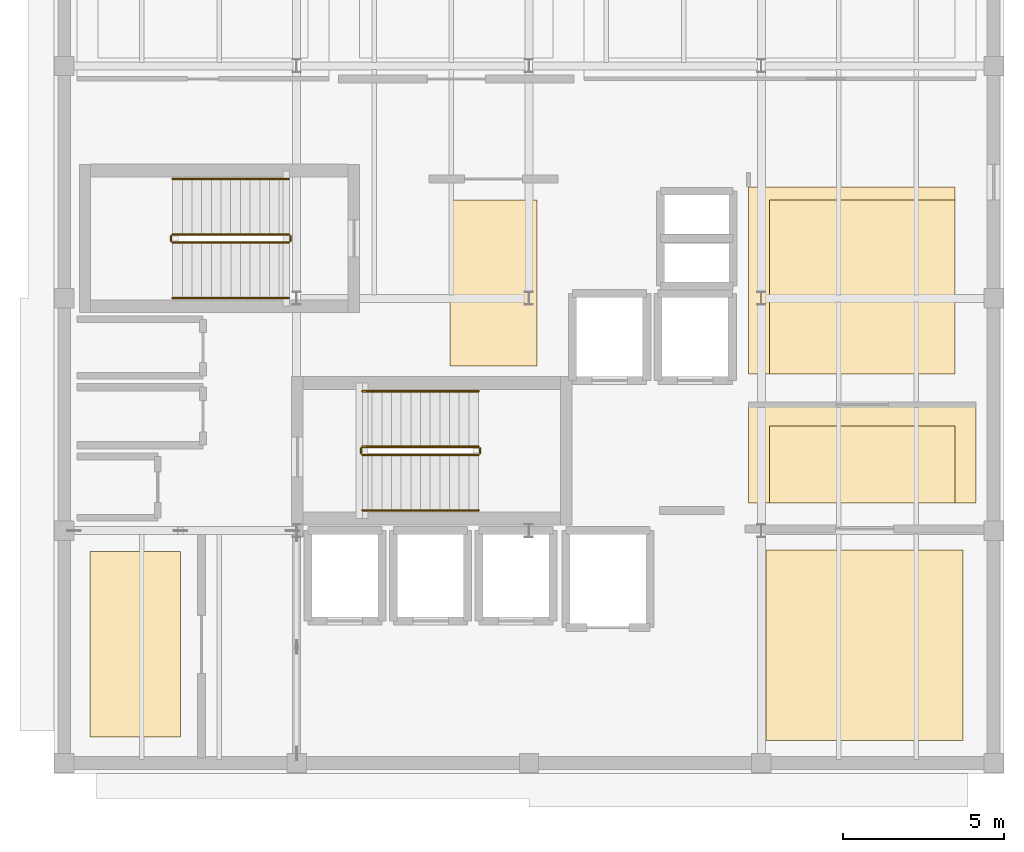
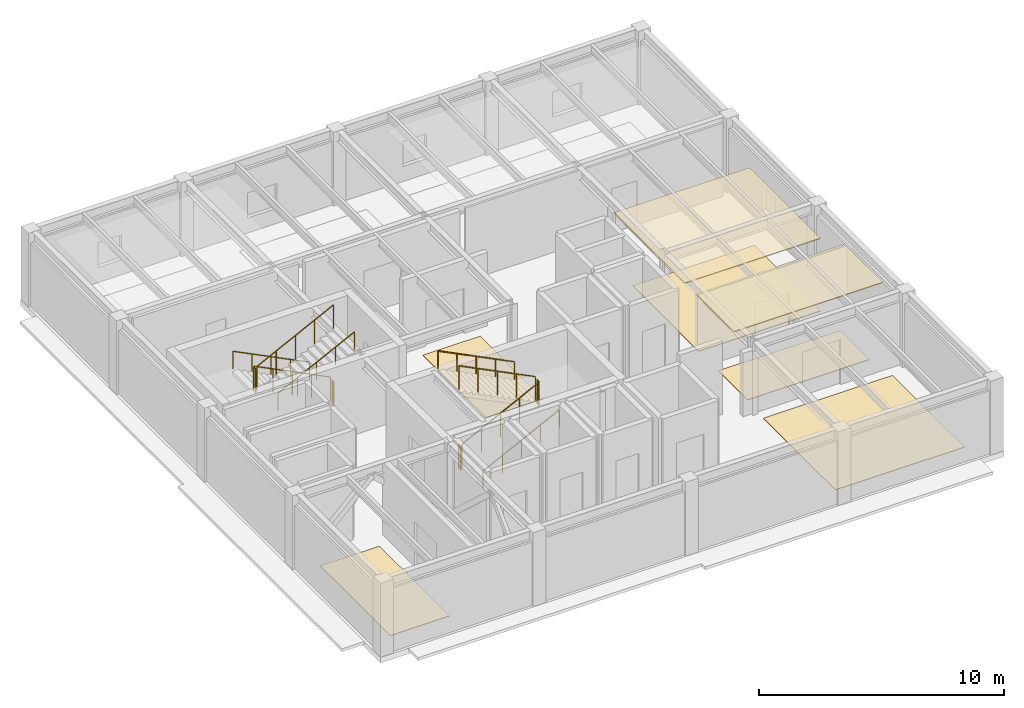
# One storey, part 7 of 8: 12 railings, 7 coverings.
"""IFC4 building model written with IfcOpenShell, lengths in metres."""

import ifcopenshell
import ifcopenshell.guid

model = None  # the IFC model being written
_history = None  # IfcOwnerHistory: only IFC2X3 demands one
_inside = {}  # id of a spatial element -> (the spatial element, [elements in it])
_under = {}  # id of a project, library or spatial element -> (it, [spatial elements below it])
_declared = {}  # id of a project -> (the project, [libraries it declares])
_typed = {}  # id of a type object -> (the type object, [elements of that type])
_made_of = {}  # id of a material, layer set ... -> (it, [elements and type objects made of it])


def new_model(schema):
    """Start an empty IFC model of exactly this schema.

    Asked for "IFC4X3", IfcOpenShell would pick the latest addendum, in which some entities
    have other attributes; the version numbers below select the first issue.
    IFC2X3 requires an IfcOwnerHistory on every rooted entity: one is made here for all.
    """
    global model, _history
    if schema == "IFC4X3":
        model = ifcopenshell.file(schema_version=(4, 3, 0, 0))
    else:
        model = ifcopenshell.file(schema=schema)
    _inside.clear()
    _under.clear()
    _declared.clear()
    _typed.clear()
    _made_of.clear()
    _history = None
    if model.schema == "IFC2X3":
        org = make("IfcOrganization", Name="unknown")
        user = make(
            "IfcPersonAndOrganization",
            ThePerson=make("IfcPerson", FamilyName="unknown"),
            TheOrganization=org,
        )
        app = make(
            "IfcApplication",
            ApplicationDeveloper=org,
            Version="unknown",
            ApplicationFullName="unknown",
            ApplicationIdentifier="unknown",
        )
        _history = make(
            "IfcOwnerHistory",
            OwningUser=user,
            OwningApplication=app,
            ChangeAction="ADDED",
            CreationDate=0,
        )
    return model


def make(cls, **values):
    """One entity of the class cls with the attributes given. An attribute that is None is left unset."""
    return model.create_entity(
        cls, **{name: value for name, value in values.items() if value is not None}
    )


def rooted(cls, **values):
    """An entity with a GlobalId (a new one), such as an element, a storey or a relation."""
    return make(cls, GlobalId=ifcopenshell.guid.new(), OwnerHistory=_history, **values)


def si_unit(unit_type, name, prefix=None):
    """IfcSIUnit, for example si_unit("LENGTHUNIT", "METRE", prefix="MILLI")."""
    return make("IfcSIUnit", UnitType=unit_type, Prefix=prefix, Name=name)


def assignment(units):
    """IfcUnitAssignment: the units of a project."""
    return None if units is None else make("IfcUnitAssignment", Units=units)


def point(xyz):
    """IfcCartesianPoint."""
    return None if xyz is None else make("IfcCartesianPoint", Coordinates=xyz)


def direction(xyz):
    """IfcDirection."""
    return None if xyz is None else make("IfcDirection", DirectionRatios=xyz)


def frame(location, z_axis=None, x_axis=None):
    """IfcAxis2Placement3D, a coordinate frame: its origin and axes. An axis left out is left unset."""
    return make(
        "IfcAxis2Placement3D",
        Location=point(location),
        Axis=direction(z_axis),
        RefDirection=direction(x_axis),
    )


def frame_2d(location, x_axis=None):
    """IfcAxis2Placement2D, a coordinate frame in the plane: its origin and x axis."""
    return make(
        "IfcAxis2Placement2D", Location=point(location), RefDirection=direction(x_axis)
    )


def origin():
    """The frame at (0, 0, 0) with its axes left unset."""
    return frame((0.0, 0.0, 0.0))


def origin_2d():
    """The frame at (0, 0) in the plane with its x axis left unset."""
    return frame_2d((0.0, 0.0))


def place(relative_to, where):
    """IfcLocalPlacement: puts the frame where relative to a parent placement (None: the world)."""
    return make(
        "IfcLocalPlacement", PlacementRelTo=relative_to, RelativePlacement=where
    )


def context(
    kind, dimensions, precision=None, world=None, true_north=None, identifier=None
):
    """IfcGeometricRepresentationContext, for example the 3D "Model" context."""
    return make(
        "IfcGeometricRepresentationContext",
        ContextIdentifier=identifier,
        ContextType=kind,
        CoordinateSpaceDimension=dimensions,
        Precision=precision,
        WorldCoordinateSystem=world,
        TrueNorth=true_north,
    )


def subcontext(parent, identifier, kind, view, scale=None):
    """IfcGeometricRepresentationSubContext, for example "Body" below "Model"."""
    return make(
        "IfcGeometricRepresentationSubContext",
        ContextIdentifier=identifier,
        ContextType=kind,
        ParentContext=parent,
        TargetScale=scale,
        TargetView=view,
    )


def project(units=None, contexts=None):
    """IfcProject with its units and contexts."""
    return rooted(
        "IfcProject",
        Name="project",
        RepresentationContexts=contexts,
        UnitsInContext=assignment(units),
    )


def spatial(cls, under=None, at=None, **own):
    """A site, building, storey or space (cls), placed at a placement, below another one or the project."""
    s = rooted(cls, ObjectPlacement=at, **own)
    if under is not None:
        _under.setdefault(under.id(), (under, []))[1].append(s)
    return s


def polyline(points):
    """IfcPolyline through the points."""
    return make("IfcPolyline", Points=[point(p) for p in points])


def profile(cls, at=None, kind="AREA", **sizes):
    """A parametric profile (cls). Its sizes go by their IFC names, for example OverallWidth=200.0."""
    return make(cls, ProfileType=kind, Position=at, **sizes)


def circle(**sizes):
    """IfcCircleProfileDef."""
    return profile("IfcCircleProfileDef", **sizes)


def outline(outer, holes=None, kind="AREA"):
    """IfcArbitraryClosedProfileDef: a profile drawn as a closed curve; with holes, ...WithVoids."""
    if holes is None:
        return make("IfcArbitraryClosedProfileDef", ProfileType=kind, OuterCurve=outer)
    return make(
        "IfcArbitraryProfileDefWithVoids",
        ProfileType=kind,
        OuterCurve=outer,
        InnerCurves=holes,
    )


def extrude(swept, where, along, depth):
    """IfcExtrudedAreaSolid: the profile swept, set in the frame where, extruded along a direction by depth."""
    return make(
        "IfcExtrudedAreaSolid",
        SweptArea=swept,
        Position=where,
        ExtrudedDirection=direction(along),
        Depth=depth,
    )


def shape(context_of_items, identifier, shape_type, items):
    """IfcShapeRepresentation: the items that make up one representation, for example the "Body"."""
    return make(
        "IfcShapeRepresentation",
        ContextOfItems=context_of_items,
        RepresentationIdentifier=identifier,
        RepresentationType=shape_type,
        Items=items,
    )


def material(Name=None, Category=None):
    """IfcMaterial."""
    return make("IfcMaterial", Name=Name, Category=Category)


def layer(
    of_material, thickness, ventilated=None, Name=None, Category=None, Priority=None
):
    """IfcMaterialLayer: one layer of a wall or slab, of a material (None: an air gap)."""
    return make(
        "IfcMaterialLayer",
        Material=of_material,
        LayerThickness=thickness,
        IsVentilated=ventilated,
        Name=Name,
        Category=Category,
        Priority=Priority,
    )


def layer_set(layers, Name=None):
    """IfcMaterialLayerSet."""
    return make("IfcMaterialLayerSet", MaterialLayers=layers, LayerSetName=Name)


def made_of(thing, what):
    """Note that an element or type object is made of a material, layer set ...; save() writes the relation."""
    if what is not None:
        _made_of.setdefault(what.id(), (what, []))[1].append(thing)
    return thing


def type_object(cls, material=None, **own):
    """A type object (cls), such as IfcWallType, which elements share."""
    return made_of(rooted(cls, **own), material)


def element(
    cls,
    number,
    at=None,
    inside=None,
    cuts=None,
    type_object=None,
    material=None,
    context=None,
    identifier="Body",
    shape_type=None,
    held_by="IfcProductDefinitionShape",
    body=None,
    shapes=None,
    **own,
):
    """One element of the class cls, such as IfcWall. Its Tag is "e" and its number.

    at: its placement. inside: the storey or other place that contains it. cuts: it is an
    opening in that element (IfcRelVoidsElement). A single representation is given by context,
    identifier, shape_type and body (its items); several are given by shapes. held_by: the class
    of the entity that holds the representations. save() writes the other relations.
    """
    e = rooted(cls, Tag="e%d" % number, ObjectPlacement=at, **own)
    if body is not None:
        shapes = [shape(context, identifier, shape_type, body)]
    if shapes is not None:
        e.Representation = make(held_by, Representations=shapes)
    if inside is not None:
        _inside.setdefault(inside.id(), (inside, []))[1].append(e)
    if cuts is not None:
        rooted(
            "IfcRelVoidsElement", RelatingBuildingElement=cuts, RelatedOpeningElement=e
        )
    if type_object is not None:
        _typed.setdefault(type_object.id(), (type_object, []))[1].append(e)
    return made_of(e, material)


def aggregate(whole, parts):
    """IfcRelAggregates: a whole, such as a stair, and the parts it consists of."""
    return rooted("IfcRelAggregates", RelatingObject=whole, RelatedObjects=parts)


def save(model, path):
    """Write the relations noted so far, then the file.

    IfcRelAggregates (storeys below a building ...), IfcRelContainedInSpatialStructure (elements
    in a storey), IfcRelDefinesByType, IfcRelAssociatesMaterial and IfcRelDeclares: one each for
    every whole, place, type object, material and project.
    """
    for whole, parts in _under.values():
        aggregate(whole, parts)
    for where, things in _inside.values():
        rooted(
            "IfcRelContainedInSpatialStructure",
            RelatedElements=things,
            RelatingStructure=where,
        )
    for kind, things in _typed.values():
        rooted("IfcRelDefinesByType", RelatedObjects=things, RelatingType=kind)
    for what, things in _made_of.values():
        rooted("IfcRelAssociatesMaterial", RelatedObjects=things, RelatingMaterial=what)
    for by, libraries in _declared.values():
        rooted("IfcRelDeclares", RelatingContext=by, RelatedDefinitions=libraries)
    model.write(path)


model = new_model("IFC4")

# Units and contexts
model_context = context("Model", 3, precision=1e-05, world=origin(), true_north=direction((0.0, 1.0)))
body_context = subcontext(model_context, "Body", "Model", "MODEL_VIEW")
ifc_project = project(units=[si_unit("LENGTHUNIT", "METRE"), si_unit("AREAUNIT", "SQUARE_METRE"), si_unit("VOLUMEUNIT", "CUBIC_METRE"), si_unit("PLANEANGLEUNIT", "RADIAN"), si_unit("MASSUNIT", "GRAM", prefix="KILO")], contexts=[model_context])

# Site, building, storey
site_placement = place(None, origin())
site = spatial("IfcSite", under=ifc_project, at=site_placement, CompositionType="ELEMENT")
building_placement = place(site_placement, origin())
building = spatial("IfcBuilding", under=site, at=building_placement, Name="Kandorven Conservatory and Botanical Research Centre", CompositionType="ELEMENT")
storey_placement = place(building_placement, frame((0.0, 0.0, 40.5)))
storey = spatial("IfcBuildingStorey", under=building, at=storey_placement, Name="L10", CompositionType="ELEMENT", Elevation=40.5)

# Coverings
ifc_material_1 = material(Name="Perforated mineral-fibre acoustic ceiling tile", Category="gypsum")
ifc_layer_1 = layer(ifc_material_1, 0.0400390625)
ifc_layer_set_1 = layer_set([ifc_layer_1], Name="Perforated mineral-fibre acoustic ceiling tile")
covering_type_1 = type_object("IfcCoveringType", Name="Cov_Ceiling_1", PredefinedType="CEILING", material=ifc_layer_set_1)
covering_1_placement = place(storey_placement, frame((0.0, 0.0, 3.6201171875)))
element("IfcCovering", 1, at=covering_1_placement, inside=storey, type_object=covering_type_1, Name="Suspended acoustic ceiling CLG-01 (Flora Taxonomy Microscopy Laboratory L10)", PredefinedType="CEILING", context=body_context, shape_type="SweptSolid", body=[
    extrude(outline(polyline([(27.199951171875, 14.050048828125), (34.25, 14.050048828125), (34.25, 17.10009765625), (27.199951171875, 17.10009765625), (27.199951171875, 14.050048828125)])), origin(), (0.0, 0.0, 1.0), 0.039794921875),
])
covering_2_placement = place(storey_placement, frame((0.0, 0.0, 3.6201171875)))
element("IfcCovering", 2, at=covering_2_placement, inside=storey, type_object=covering_type_1, Name="Suspended acoustic ceiling CLG-01 (Herbarium Digitisation and Imaging Studio L10)", PredefinedType="CEILING", context=body_context, shape_type="SweptSolid", body=[
    extrude(outline(polyline([(27.199951171875, 18.050048828125), (33.60009765625, 18.050048828125), (33.60009765625, 23.85009765625), (27.199951171875, 23.85009765625), (27.199951171875, 18.050048828125)])), origin(), (0.0, 0.0, 1.0), 0.039794921875),
])
ifc_material_2 = material(Name="Honed Kota stone and epoxy laboratory flooring", Category="masonry")
ifc_layer_2 = layer(ifc_material_2, 0.02490234375)
ifc_layer_set_2 = layer_set([ifc_layer_2], Name="Honed Kota stone and epoxy laboratory flooring")
covering_type_2 = type_object("IfcCoveringType", Name="Cov_Flooring_1", PredefinedType="FLOORING", material=ifc_layer_set_2)
covering_3_placement = place(storey_placement, origin())
element("IfcCovering", 3, at=covering_3_placement, inside=storey, type_object=covering_type_2, Name="Floor finish FLR-01 (Herbarium Bryophyte Collection Vault L10)", PredefinedType="FLOORING", context=body_context, shape_type="SweptSolid", body=[
    extrude(outline(polyline([(17.949951171875, 18.300048828125), (20.64990234375, 18.300048828125), (20.64990234375, 23.449951171875), (17.949951171875, 23.449951171875), (17.949951171875, 18.300048828125)])), origin(), (0.0, 0.0, 1.0), 0.02490234375),
])
covering_4_placement = place(storey_placement, origin())
element("IfcCovering", 4, at=covering_4_placement, inside=storey, type_object=covering_type_2, Name="Floor finish FLR-01 (Flora Taxonomy Microscopy Laboratory L10)", PredefinedType="FLOORING", context=body_context, shape_type="SweptSolid", body=[
    extrude(outline(polyline([(27.85009765625, 14.050048828125), (33.60009765625, 14.050048828125), (33.60009765625, 16.449951171875), (27.85009765625, 16.449951171875), (27.85009765625, 14.050048828125)])), origin(), (0.0, 0.0, 1.0), 0.02490234375),
])
covering_5_placement = place(storey_placement, origin())
element("IfcCovering", 5, at=covering_5_placement, inside=storey, type_object=covering_type_2, Name="Floor finish FLR-01 (Herbarium Type Specimen Vault L10)", PredefinedType="FLOORING", context=body_context, shape_type="SweptSolid", body=[
    extrude(outline(polyline([(6.800048828125, 6.800048828125), (9.60009765625, 6.800048828125), (9.60009765625, 12.550048828125), (6.800048828125, 12.550048828125), (6.800048828125, 6.800048828125)])), origin(), (0.0, 0.0, 1.0), 0.02490234375),
])
covering_6_placement = place(storey_placement, origin())
element("IfcCovering", 6, at=covering_6_placement, inside=storey, type_object=covering_type_2, Name="Floor finish FLR-01 (Herbarium Vascular Specimen Collection Vault L10)", PredefinedType="FLOORING", context=body_context, shape_type="SweptSolid", body=[
    extrude(outline(polyline([(27.75, 6.699951171875), (33.85009765625, 6.699951171875), (33.85009765625, 12.60009765625), (27.75, 12.60009765625), (27.75, 6.699951171875)])), origin(), (0.0, 0.0, 1.0), 0.02490234375),
])
covering_7_placement = place(storey_placement, origin())
element("IfcCovering", 7, at=covering_7_placement, inside=storey, type_object=covering_type_2, Name="Floor finish FLR-01 (Herbarium Digitisation and Imaging Studio L10)", PredefinedType="FLOORING", context=body_context, shape_type="SweptSolid", body=[
    extrude(outline(polyline([(27.85009765625, 18.050048828125), (33.60009765625, 18.050048828125), (33.60009765625, 23.449951171875), (27.85009765625, 23.449951171875), (27.85009765625, 18.050048828125)])), origin(), (0.0, 0.0, 1.0), 0.02490234375),
])

# Railings
ifc_material_3 = material(Name="Steel S355 (IS 2062 E350)", Category="steel")
railing_type_1 = type_object("IfcRailingType", Name="StairGuard_1150", PredefinedType="BALUSTRADE", material=ifc_material_3)
railing_1_placement = place(storey_placement, frame((15.239990234375, 15.550048828125, 0.14990234375)))
element("IfcRailing", 8, at=railing_1_placement, inside=storey, type_object=railing_type_1, Name="L10 ST-T1 stair guard 1", PredefinedType="BALUSTRADE", context=body_context, shape_type="SweptSolid", body=[
    extrude(circle(Radius=0.02392578125, at=origin_2d()), frame((0.0, 0.0, 1.17578125), z_axis=(0.894427191, 0.0, 0.4472135955), x_axis=(0.0, 1.0, 0.0)), (0.0, 0.0, 1.0), 4.025146484375),
    extrude(circle(Radius=0.02099609375, at=origin_2d()), origin(), (0.0, 0.0, 1.0), 1.15185546875),
    extrude(circle(Radius=0.02099609375, at=origin_2d()), frame((0.89990234375, 0.0, 0.449951171875)), (0.0, 0.0, 1.0), 1.15185546875),
    extrude(circle(Radius=0.02099609375, at=origin_2d()), frame((1.800048828125, 0.0, 0.89990234375)), (0.0, 0.0, 1.0), 1.15185546875),
    extrude(circle(Radius=0.02099609375, at=origin_2d()), frame((2.7001953125, 0.0, 1.35009765625)), (0.0, 0.0, 1.0), 1.15185546875),
    extrude(circle(Radius=0.02099609375, at=origin_2d()), frame((3.60009765625, 0.0, 1.800048828125)), (0.0, 0.0, 1.0), 1.15185546875),
])
railing_2_placement = place(storey_placement, frame((18.889892578125, 15.60009765625, 1.949951171875)))
element("IfcRailing", 9, at=railing_2_placement, inside=storey, type_object=railing_type_1, Name="L10 ST-T1 stair guard 2", PredefinedType="BALUSTRADE", context=body_context, shape_type="SweptSolid", body=[
    extrude(circle(Radius=0.02392578125, at=origin_2d()), frame((0.0, 0.0, 1.17578125), z_axis=(0.0, 1.0, 0.0), x_axis=(-1.0, 0.0, 0.0)), (0.0, 0.0, 1.0), 0.14990234375),
    extrude(circle(Radius=0.02099609375, at=origin_2d()), origin(), (0.0, 0.0, 1.0), 1.15185546875),
    extrude(circle(Radius=0.02099609375, at=origin_2d()), frame((0.0, 0.14990234375, 0.0)), (0.0, 0.0, 1.0), 1.15185546875),
])
railing_3_placement = place(storey_placement, frame((18.840087890625, 15.800048828125, 2.10009765625)))
element("IfcRailing", 10, at=railing_3_placement, inside=storey, type_object=railing_type_1, Name="L10 ST-T1 stair guard 3", PredefinedType="BALUSTRADE", context=body_context, shape_type="SweptSolid", body=[
    extrude(circle(Radius=0.02392578125, at=origin_2d()), frame((0.0, 0.0, 1.17578125), z_axis=(-0.894451452574, 0.0, 0.447165069061), x_axis=(0.0, -1.0, 0.0)), (0.0, 0.0, 1.0), 4.02490234375),
    extrude(circle(Radius=0.02099609375, at=origin_2d()), origin(), (0.0, 0.0, 1.0), 1.15185546875),
    extrude(circle(Radius=0.02099609375, at=origin_2d()), frame((-0.89990234375, 0.0, 0.449951171875)), (0.0, 0.0, 1.0), 1.15185546875),
    extrude(circle(Radius=0.02099609375, at=origin_2d()), frame((-1.800048828125, 0.0, 0.89990234375)), (0.0, 0.0, 1.0), 1.15185546875),
    extrude(circle(Radius=0.02099609375, at=origin_2d()), frame((-2.7001953125, 0.0, 1.349853515625)), (0.0, 0.0, 1.0), 1.15185546875),
    extrude(circle(Radius=0.02099609375, at=origin_2d()), frame((-3.60009765625, 0.0, 1.7998046875)), (0.0, 0.0, 1.0), 1.15185546875),
])
railing_4_placement = place(storey_placement, frame((15.18994140625, 15.60009765625, 0.0)))
element("IfcRailing", 11, at=railing_4_placement, inside=storey, type_object=railing_type_1, Name="L10 ST-T1 stair guard 4", PredefinedType="BALUSTRADE", context=body_context, shape_type="SweptSolid", body=[
    extrude(circle(Radius=0.02392578125, at=origin_2d()), frame((0.0, 0.0, 1.17578125), z_axis=(0.0, 1.0, 0.0), x_axis=(-1.0, 0.0, 0.0)), (0.0, 0.0, 1.0), 0.14990234375),
    extrude(circle(Radius=0.02099609375, at=origin_2d()), origin(), (0.0, 0.0, 1.0), 1.15185546875),
    extrude(circle(Radius=0.02099609375, at=origin_2d()), frame((0.0, 0.14990234375, 0.0)), (0.0, 0.0, 1.0), 1.15185546875),
])
railing_5_placement = place(storey_placement, frame((12.9599609375, 22.3798828125, 0.14990234375)))
element("IfcRailing", 12, at=railing_5_placement, inside=storey, type_object=railing_type_1, Name="L10 ST-T2 stair guard 1", PredefinedType="BALUSTRADE", context=body_context, shape_type="SweptSolid", body=[
    extrude(circle(Radius=0.02392578125, at=origin_2d()), frame((0.0, 0.0, 1.17578125), z_axis=(-0.894415058897, 0.0, 0.447237858884), x_axis=(0.0, -1.0, 0.0)), (0.0, 0.0, 1.0), 4.02490234375),
    extrude(circle(Radius=0.02099609375, at=origin_2d()), origin(), (0.0, 0.0, 1.0), 1.15185546875),
    extrude(circle(Radius=0.02099609375, at=origin_2d()), frame((-0.89990234375, 0.0, 0.449951171875)), (0.0, 0.0, 1.0), 1.15185546875),
    extrude(circle(Radius=0.02099609375, at=origin_2d()), frame((-1.7998046875, 0.0, 0.89990234375)), (0.0, 0.0, 1.0), 1.15185546875),
    extrude(circle(Radius=0.02099609375, at=origin_2d()), frame((-2.699951171875, 0.0, 1.35009765625)), (0.0, 0.0, 1.0), 1.15185546875),
    extrude(circle(Radius=0.02099609375, at=origin_2d()), frame((-3.599853515625, 0.0, 1.800048828125)), (0.0, 0.0, 1.0), 1.15185546875),
])
railing_6_placement = place(storey_placement, frame((9.31005859375, 22.330078125, 1.949951171875)))
element("IfcRailing", 13, at=railing_6_placement, inside=storey, type_object=railing_type_1, Name="L10 ST-T2 stair guard 2", PredefinedType="BALUSTRADE", context=body_context, shape_type="SweptSolid", body=[
    extrude(circle(Radius=0.02392578125, at=origin_2d()), frame((0.0, 0.0, 1.17578125), z_axis=(0.0, -1.0, 0.0), x_axis=(1.0, 0.0, 0.0)), (0.0, 0.0, 1.0), 0.150146484375),
    extrude(circle(Radius=0.02099609375, at=origin_2d()), origin(), (0.0, 0.0, 1.0), 1.15185546875),
    extrude(circle(Radius=0.02099609375, at=origin_2d()), frame((0.0, -0.150146484375, 0.0)), (0.0, 0.0, 1.0), 1.15185546875),
])
railing_7_placement = place(storey_placement, frame((9.360107421875, 22.1298828125, 2.10009765625)))
element("IfcRailing", 14, at=railing_7_placement, inside=storey, type_object=railing_type_1, Name="L10 ST-T2 stair guard 3", PredefinedType="BALUSTRADE", context=body_context, shape_type="SweptSolid", body=[
    extrude(circle(Radius=0.02392578125, at=origin_2d()), frame((0.0, 0.0, 1.17578125), z_axis=(0.894439322774, 0.0, 0.447189331129), x_axis=(0.0, 1.0, 0.0)), (0.0, 0.0, 1.0), 4.024658203125),
    extrude(circle(Radius=0.02099609375, at=origin_2d()), origin(), (0.0, 0.0, 1.0), 1.15185546875),
    extrude(circle(Radius=0.02099609375, at=origin_2d()), frame((0.89990234375, 0.0, 0.449951171875)), (0.0, 0.0, 1.0), 1.15185546875),
    extrude(circle(Radius=0.02099609375, at=origin_2d()), frame((1.7998046875, 0.0, 0.89990234375)), (0.0, 0.0, 1.0), 1.15185546875),
    extrude(circle(Radius=0.02099609375, at=origin_2d()), frame((2.699951171875, 0.0, 1.349853515625)), (0.0, 0.0, 1.0), 1.15185546875),
    extrude(circle(Radius=0.02099609375, at=origin_2d()), frame((3.599853515625, 0.0, 1.7998046875)), (0.0, 0.0, 1.0), 1.15185546875),
])
railing_8_placement = place(storey_placement, frame((13.010009765625, 22.330078125, 0.0)))
element("IfcRailing", 15, at=railing_8_placement, inside=storey, type_object=railing_type_1, Name="L10 ST-T2 stair guard 4", PredefinedType="BALUSTRADE", context=body_context, shape_type="SweptSolid", body=[
    extrude(circle(Radius=0.02392578125, at=origin_2d()), frame((0.0, 0.0, 1.17578125), z_axis=(0.0, -1.0, 0.0), x_axis=(1.0, 0.0, 0.0)), (0.0, 0.0, 1.0), 0.150146484375),
    extrude(circle(Radius=0.02099609375, at=origin_2d()), origin(), (0.0, 0.0, 1.0), 1.15185546875),
    extrude(circle(Radius=0.02099609375, at=origin_2d()), frame((0.0, -0.150146484375, 0.0)), (0.0, 0.0, 1.0), 1.15185546875),
])
ifc_material_4 = material(Name="Steel S355 (IS 2062 E350)", Category="steel")
railing_type_2 = type_object("IfcRailingType", Name="StairHandrail_900", PredefinedType="HANDRAIL", material=ifc_material_4)
railing_9_placement = place(storey_placement, frame((15.239990234375, 13.830078125, 0.14990234375)))
element("IfcRailing", 16, at=railing_9_placement, inside=storey, type_object=railing_type_2, Name="L10 ST-T1 stair handrail 1", PredefinedType="HANDRAIL", context=body_context, shape_type="SweptSolid", body=[
    extrude(circle(Radius=0.02392578125, at=origin_2d()), frame((0.0, 0.0, 0.8759765625), z_axis=(0.894427191, 0.0, 0.4472135955), x_axis=(0.0, 1.0, 0.0)), (0.0, 0.0, 1.0), 4.025146484375),
    extrude(circle(Radius=0.02099609375, at=origin_2d()), origin(), (0.0, 0.0, 1.0), 0.851806640625),
    extrude(circle(Radius=0.02099609375, at=origin_2d()), frame((0.89990234375, 0.0, 0.449951171875)), (0.0, 0.0, 1.0), 0.851806640625),
    extrude(circle(Radius=0.02099609375, at=origin_2d()), frame((1.800048828125, 0.0, 0.89990234375)), (0.0, 0.0, 1.0), 0.851806640625),
    extrude(circle(Radius=0.02099609375, at=origin_2d()), frame((2.7001953125, 0.0, 1.35009765625)), (0.0, 0.0, 1.0), 0.851806640625),
    extrude(circle(Radius=0.02099609375, at=origin_2d()), frame((3.60009765625, 0.0, 1.800048828125)), (0.0, 0.0, 1.0), 0.851806640625),
])
railing_10_placement = place(storey_placement, frame((18.840087890625, 17.52001953125, 2.10009765625)))
element("IfcRailing", 17, at=railing_10_placement, inside=storey, type_object=railing_type_2, Name="L10 ST-T1 stair handrail 2", PredefinedType="HANDRAIL", context=body_context, shape_type="SweptSolid", body=[
    extrude(circle(Radius=0.02392578125, at=origin_2d()), frame((0.0, 0.0, 0.8759765625), z_axis=(-0.894451452574, 0.0, 0.447165069061), x_axis=(0.0, -1.0, 0.0)), (0.0, 0.0, 1.0), 4.02490234375),
    extrude(circle(Radius=0.02099609375, at=origin_2d()), origin(), (0.0, 0.0, 1.0), 0.851806640625),
    extrude(circle(Radius=0.02099609375, at=origin_2d()), frame((-0.89990234375, 0.0, 0.449951171875)), (0.0, 0.0, 1.0), 0.851806640625),
    extrude(circle(Radius=0.02099609375, at=origin_2d()), frame((-1.800048828125, 0.0, 0.89990234375)), (0.0, 0.0, 1.0), 0.851806640625),
    extrude(circle(Radius=0.02099609375, at=origin_2d()), frame((-2.7001953125, 0.0, 1.349853515625)), (0.0, 0.0, 1.0), 0.851806640625),
    extrude(circle(Radius=0.02099609375, at=origin_2d()), frame((-3.60009765625, 0.0, 1.7998046875)), (0.0, 0.0, 1.0), 0.851806640625),
])
railing_11_placement = place(storey_placement, frame((12.9599609375, 24.10009765625, 0.14990234375)))
element("IfcRailing", 18, at=railing_11_placement, inside=storey, type_object=railing_type_2, Name="L10 ST-T2 stair handrail 1", PredefinedType="HANDRAIL", context=body_context, shape_type="SweptSolid", body=[
    extrude(circle(Radius=0.02392578125, at=origin_2d()), frame((0.0, 0.0, 0.8759765625), z_axis=(-0.894415058897, 0.0, 0.447237858884), x_axis=(0.0, -1.0, 0.0)), (0.0, 0.0, 1.0), 4.02490234375),
    extrude(circle(Radius=0.02099609375, at=origin_2d()), origin(), (0.0, 0.0, 1.0), 0.851806640625),
    extrude(circle(Radius=0.02099609375, at=origin_2d()), frame((-0.89990234375, 0.0, 0.449951171875)), (0.0, 0.0, 1.0), 0.851806640625),
    extrude(circle(Radius=0.02099609375, at=origin_2d()), frame((-1.7998046875, 0.0, 0.89990234375)), (0.0, 0.0, 1.0), 0.851806640625),
    extrude(circle(Radius=0.02099609375, at=origin_2d()), frame((-2.699951171875, 0.0, 1.35009765625)), (0.0, 0.0, 1.0), 0.851806640625),
    extrude(circle(Radius=0.02099609375, at=origin_2d()), frame((-3.599853515625, 0.0, 1.800048828125)), (0.0, 0.0, 1.0), 0.851806640625),
])
railing_12_placement = place(storey_placement, frame((9.360107421875, 20.409912109375, 2.10009765625)))
element("IfcRailing", 19, at=railing_12_placement, inside=storey, type_object=railing_type_2, Name="L10 ST-T2 stair handrail 2", PredefinedType="HANDRAIL", context=body_context, shape_type="SweptSolid", body=[
    extrude(circle(Radius=0.02392578125, at=origin_2d()), frame((0.0, 0.0, 0.8759765625), z_axis=(0.894439322774, 0.0, 0.447189331129), x_axis=(0.0, 1.0, 0.0)), (0.0, 0.0, 1.0), 4.024658203125),
    extrude(circle(Radius=0.02099609375, at=origin_2d()), origin(), (0.0, 0.0, 1.0), 0.851806640625),
    extrude(circle(Radius=0.02099609375, at=origin_2d()), frame((0.89990234375, 0.0, 0.449951171875)), (0.0, 0.0, 1.0), 0.851806640625),
    extrude(circle(Radius=0.02099609375, at=origin_2d()), frame((1.7998046875, 0.0, 0.89990234375)), (0.0, 0.0, 1.0), 0.851806640625),
    extrude(circle(Radius=0.02099609375, at=origin_2d()), frame((2.699951171875, 0.0, 1.349853515625)), (0.0, 0.0, 1.0), 0.851806640625),
    extrude(circle(Radius=0.02099609375, at=origin_2d()), frame((3.599853515625, 0.0, 1.7998046875)), (0.0, 0.0, 1.0), 0.851806640625),
])

save(model, "model.ifc")
